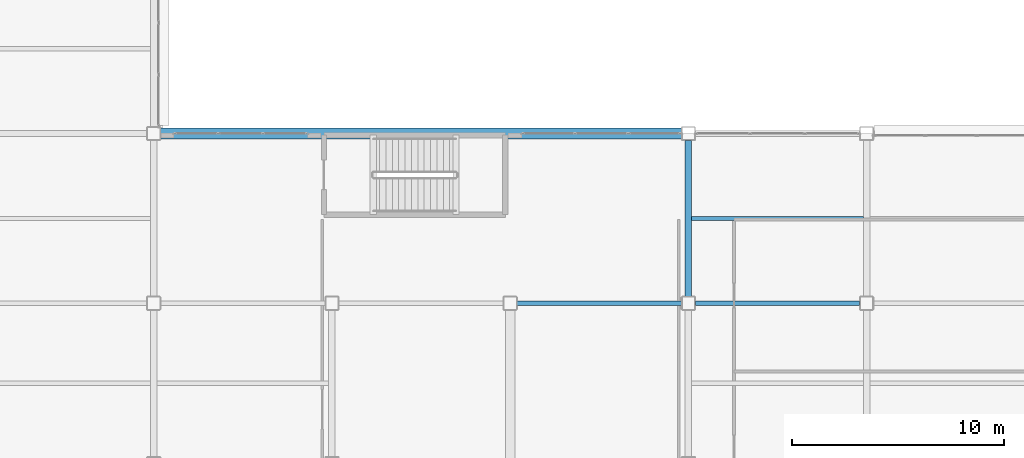
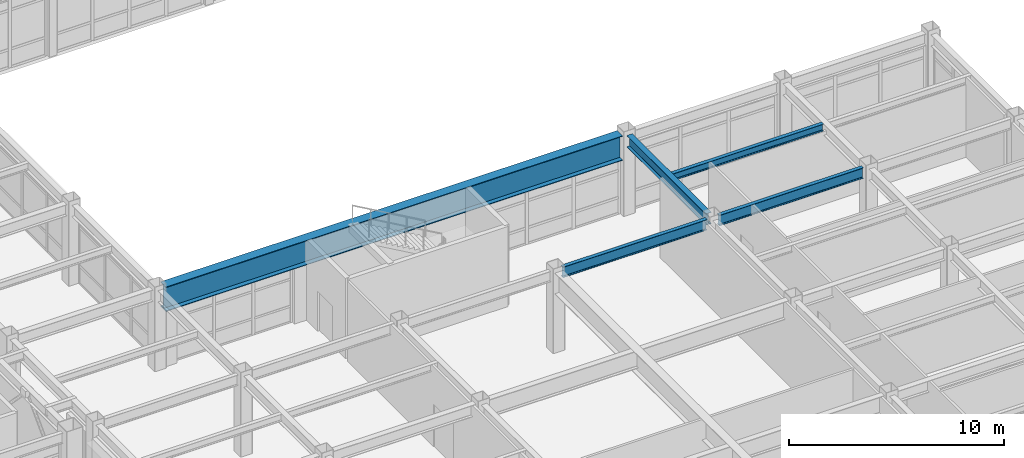
# One storey, part 53 of 172: 5 beams.
"""IFC4 building model written with IfcOpenShell, lengths in metres."""

import ifcopenshell
import ifcopenshell.guid

model = None  # the IFC model being written
_history = None  # IfcOwnerHistory: only IFC2X3 demands one
_inside = {}  # id of a spatial element -> (the spatial element, [elements in it])
_under = {}  # id of a project, library or spatial element -> (it, [spatial elements below it])
_declared = {}  # id of a project -> (the project, [libraries it declares])
_typed = {}  # id of a type object -> (the type object, [elements of that type])
_made_of = {}  # id of a material, layer set ... -> (it, [elements and type objects made of it])


def new_model(schema):
    """Start an empty IFC model of exactly this schema.

    Asked for "IFC4X3", IfcOpenShell would pick the latest addendum, in which some entities
    have other attributes; the version numbers below select the first issue.
    IFC2X3 requires an IfcOwnerHistory on every rooted entity: one is made here for all.
    """
    global model, _history
    if schema == "IFC4X3":
        model = ifcopenshell.file(schema_version=(4, 3, 0, 0))
    else:
        model = ifcopenshell.file(schema=schema)
    _inside.clear()
    _under.clear()
    _declared.clear()
    _typed.clear()
    _made_of.clear()
    _history = None
    if model.schema == "IFC2X3":
        org = make("IfcOrganization", Name="unknown")
        user = make(
            "IfcPersonAndOrganization",
            ThePerson=make("IfcPerson", FamilyName="unknown"),
            TheOrganization=org,
        )
        app = make(
            "IfcApplication",
            ApplicationDeveloper=org,
            Version="unknown",
            ApplicationFullName="unknown",
            ApplicationIdentifier="unknown",
        )
        _history = make(
            "IfcOwnerHistory",
            OwningUser=user,
            OwningApplication=app,
            ChangeAction="ADDED",
            CreationDate=0,
        )
    return model


def make(cls, **values):
    """One entity of the class cls with the attributes given. An attribute that is None is left unset."""
    return model.create_entity(
        cls, **{name: value for name, value in values.items() if value is not None}
    )


def rooted(cls, **values):
    """An entity with a GlobalId (a new one), such as an element, a storey or a relation."""
    return make(cls, GlobalId=ifcopenshell.guid.new(), OwnerHistory=_history, **values)


def si_unit(unit_type, name, prefix=None):
    """IfcSIUnit, for example si_unit("LENGTHUNIT", "METRE", prefix="MILLI")."""
    return make("IfcSIUnit", UnitType=unit_type, Prefix=prefix, Name=name)


def assignment(units):
    """IfcUnitAssignment: the units of a project."""
    return None if units is None else make("IfcUnitAssignment", Units=units)


def point(xyz):
    """IfcCartesianPoint."""
    return None if xyz is None else make("IfcCartesianPoint", Coordinates=xyz)


def direction(xyz):
    """IfcDirection."""
    return None if xyz is None else make("IfcDirection", DirectionRatios=xyz)


def frame(location, z_axis=None, x_axis=None):
    """IfcAxis2Placement3D, a coordinate frame: its origin and axes. An axis left out is left unset."""
    return make(
        "IfcAxis2Placement3D",
        Location=point(location),
        Axis=direction(z_axis),
        RefDirection=direction(x_axis),
    )


def frame_2d(location, x_axis=None):
    """IfcAxis2Placement2D, a coordinate frame in the plane: its origin and x axis."""
    return make(
        "IfcAxis2Placement2D", Location=point(location), RefDirection=direction(x_axis)
    )


def origin():
    """The frame at (0, 0, 0) with its axes left unset."""
    return frame((0.0, 0.0, 0.0))


def origin_2d():
    """The frame at (0, 0) in the plane with its x axis left unset."""
    return frame_2d((0.0, 0.0))


def place(relative_to, where):
    """IfcLocalPlacement: puts the frame where relative to a parent placement (None: the world)."""
    return make(
        "IfcLocalPlacement", PlacementRelTo=relative_to, RelativePlacement=where
    )


def context(
    kind, dimensions, precision=None, world=None, true_north=None, identifier=None
):
    """IfcGeometricRepresentationContext, for example the 3D "Model" context."""
    return make(
        "IfcGeometricRepresentationContext",
        ContextIdentifier=identifier,
        ContextType=kind,
        CoordinateSpaceDimension=dimensions,
        Precision=precision,
        WorldCoordinateSystem=world,
        TrueNorth=true_north,
    )


def subcontext(parent, identifier, kind, view, scale=None):
    """IfcGeometricRepresentationSubContext, for example "Body" below "Model"."""
    return make(
        "IfcGeometricRepresentationSubContext",
        ContextIdentifier=identifier,
        ContextType=kind,
        ParentContext=parent,
        TargetScale=scale,
        TargetView=view,
    )


def project(units=None, contexts=None):
    """IfcProject with its units and contexts."""
    return rooted(
        "IfcProject",
        Name="project",
        RepresentationContexts=contexts,
        UnitsInContext=assignment(units),
    )


def spatial(cls, under=None, at=None, **own):
    """A site, building, storey or space (cls), placed at a placement, below another one or the project."""
    s = rooted(cls, ObjectPlacement=at, **own)
    if under is not None:
        _under.setdefault(under.id(), (under, []))[1].append(s)
    return s


def profile(cls, at=None, kind="AREA", **sizes):
    """A parametric profile (cls). Its sizes go by their IFC names, for example OverallWidth=200.0."""
    return make(cls, ProfileType=kind, Position=at, **sizes)


def i_section(**sizes):
    """IfcIShapeProfileDef."""
    return profile("IfcIShapeProfileDef", **sizes)


def extrude(swept, where, along, depth):
    """IfcExtrudedAreaSolid: the profile swept, set in the frame where, extruded along a direction by depth."""
    return make(
        "IfcExtrudedAreaSolid",
        SweptArea=swept,
        Position=where,
        ExtrudedDirection=direction(along),
        Depth=depth,
    )


def shape(context_of_items, identifier, shape_type, items):
    """IfcShapeRepresentation: the items that make up one representation, for example the "Body"."""
    return make(
        "IfcShapeRepresentation",
        ContextOfItems=context_of_items,
        RepresentationIdentifier=identifier,
        RepresentationType=shape_type,
        Items=items,
    )


def material(Name=None, Category=None):
    """IfcMaterial."""
    return make("IfcMaterial", Name=Name, Category=Category)


def material_profile(
    of_material, cross_section, Name=None, Category=None, Priority=None
):
    """IfcMaterialProfile: a cross section and its material."""
    return make(
        "IfcMaterialProfile",
        Name=Name,
        Material=of_material,
        Profile=cross_section,
        Priority=Priority,
        Category=Category,
    )


def profile_set(profiles, Name=None, composite=None):
    """IfcMaterialProfileSet."""
    return make(
        "IfcMaterialProfileSet",
        Name=Name,
        MaterialProfiles=profiles,
        CompositeProfile=composite,
    )


def made_of(thing, what):
    """Note that an element or type object is made of a material, layer set ...; save() writes the relation."""
    if what is not None:
        _made_of.setdefault(what.id(), (what, []))[1].append(thing)
    return thing


def type_object(cls, material=None, **own):
    """A type object (cls), such as IfcWallType, which elements share."""
    return made_of(rooted(cls, **own), material)


def element(
    cls,
    number,
    at=None,
    inside=None,
    cuts=None,
    type_object=None,
    material=None,
    context=None,
    identifier="Body",
    shape_type=None,
    held_by="IfcProductDefinitionShape",
    body=None,
    shapes=None,
    **own,
):
    """One element of the class cls, such as IfcWall. Its Tag is "e" and its number.

    at: its placement. inside: the storey or other place that contains it. cuts: it is an
    opening in that element (IfcRelVoidsElement). A single representation is given by context,
    identifier, shape_type and body (its items); several are given by shapes. held_by: the class
    of the entity that holds the representations. save() writes the other relations.
    """
    e = rooted(cls, Tag="e%d" % number, ObjectPlacement=at, **own)
    if body is not None:
        shapes = [shape(context, identifier, shape_type, body)]
    if shapes is not None:
        e.Representation = make(held_by, Representations=shapes)
    if inside is not None:
        _inside.setdefault(inside.id(), (inside, []))[1].append(e)
    if cuts is not None:
        rooted(
            "IfcRelVoidsElement", RelatingBuildingElement=cuts, RelatedOpeningElement=e
        )
    if type_object is not None:
        _typed.setdefault(type_object.id(), (type_object, []))[1].append(e)
    return made_of(e, material)


def aggregate(whole, parts):
    """IfcRelAggregates: a whole, such as a stair, and the parts it consists of."""
    return rooted("IfcRelAggregates", RelatingObject=whole, RelatedObjects=parts)


def save(model, path):
    """Write the relations noted so far, then the file.

    IfcRelAggregates (storeys below a building ...), IfcRelContainedInSpatialStructure (elements
    in a storey), IfcRelDefinesByType, IfcRelAssociatesMaterial and IfcRelDeclares: one each for
    every whole, place, type object, material and project.
    """
    for whole, parts in _under.values():
        aggregate(whole, parts)
    for where, things in _inside.values():
        rooted(
            "IfcRelContainedInSpatialStructure",
            RelatedElements=things,
            RelatingStructure=where,
        )
    for kind, things in _typed.values():
        rooted("IfcRelDefinesByType", RelatedObjects=things, RelatingType=kind)
    for what, things in _made_of.values():
        rooted("IfcRelAssociatesMaterial", RelatedObjects=things, RelatingMaterial=what)
    for by, libraries in _declared.values():
        rooted("IfcRelDeclares", RelatingContext=by, RelatedDefinitions=libraries)
    model.write(path)


model = new_model("IFC4")

# Units and contexts
model_context = context("Model", 3, precision=1e-05, world=origin(), true_north=direction((0.0, 1.0)))
body_context = subcontext(model_context, "Body", "Model", "MODEL_VIEW")
ifc_project = project(units=[si_unit("LENGTHUNIT", "METRE"), si_unit("AREAUNIT", "SQUARE_METRE"), si_unit("VOLUMEUNIT", "CUBIC_METRE"), si_unit("PLANEANGLEUNIT", "RADIAN"), si_unit("MASSUNIT", "GRAM", prefix="KILO")], contexts=[model_context])

# Site, building, storey
site_placement = place(None, origin())
site = spatial("IfcSite", under=ifc_project, at=site_placement, CompositionType="ELEMENT")
building_placement = place(site_placement, origin())
building = spatial("IfcBuilding", under=site, at=building_placement, Name="Kazehara Bluff Congress Hotel", CompositionType="ELEMENT")
storey_placement = place(building_placement, frame((0.0, 0.0, 5.39990234375)))
storey = spatial("IfcBuildingStorey", under=building, at=storey_placement, Name="L01", CompositionType="ELEMENT", Elevation=5.39990234375)

# Beams
ifc_material_1 = material(Name="Steel SN490B", Category="steel")
ifc_material_profile_1 = material_profile(ifc_material_1, i_section(OverallWidth=0.300048828125, OverallDepth=0.64990234375, WebThickness=0.011962890625, FlangeThickness=0.02001953125, FilletRadius=0.012939453125, at=origin_2d()))
ifc_profile_set_1 = profile_set([ifc_material_profile_1], Name="Steel SN490B")
beam_type_1 = type_object("IfcBeamType", Name="TP-G-03", PredefinedType="BEAM", material=ifc_profile_set_1)
beam_1_placement = place(storey_placement, frame((92.85009765625, 48.77490234375, 4.22509765625), z_axis=(0.0, 1.0, 0.0), x_axis=(-1.0, 0.0, 0.0)))
element("IfcBeam", 1, at=beam_1_placement, inside=storey, type_object=beam_type_1, Name="L01 girder G-03 174", PredefinedType="BEAM", context=body_context, shape_type="SweptSolid", body=[
    extrude(i_section(OverallWidth=0.300048828125, OverallDepth=0.64990234375, WebThickness=0.011962890625, FlangeThickness=0.02001953125, FilletRadius=0.012939453125, at=origin_2d()), origin(), (0.0, 0.0, 1.0), 7.35009765625),
])
ifc_material_2 = material(Name="Steel SN490B", Category="steel")
ifc_material_profile_2 = material_profile(ifc_material_2, i_section(OverallWidth=0.5, OverallDepth=1.39990234375, WebThickness=0.02197265625, FlangeThickness=0.035888671875, at=origin_2d()))
ifc_profile_set_2 = profile_set([ifc_material_profile_2], Name="Steel SN490B")
beam_type_2 = type_object("IfcBeamType", Name="TP-G-13", PredefinedType="BEAM", material=ifc_profile_set_2)
beam_2_placement = place(storey_placement, frame((67.97509765625, 56.449951171875, 3.85009765625), z_axis=(1.0, 0.0, 0.0), x_axis=(0.0, 1.0, 0.0)))
element("IfcBeam", 2, at=beam_2_placement, inside=storey, type_object=beam_type_2, Name="L01 girder G-13 216", PredefinedType="BEAM", context=body_context, shape_type="SweptSolid", body=[
    extrude(i_section(OverallWidth=0.5, OverallDepth=1.39990234375, WebThickness=0.02197265625, FlangeThickness=0.035888671875, at=origin_2d()), origin(), (0.0, 0.0, 1.0), 24.5498046875),
])
ifc_material_3 = material(Name="Steel SN400B", Category="steel")
ifc_material_profile_3 = material_profile(ifc_material_3, i_section(OverallWidth=0.199951171875, OverallDepth=0.39990234375, WebThickness=0.008056640625, FlangeThickness=0.012939453125, FilletRadius=0.012939453125, at=origin_2d()))
ifc_profile_set_3 = profile_set([ifc_material_profile_3], Name="Steel SN400B")
beam_type_3 = type_object("IfcBeamType", Name="TP-J-03", PredefinedType="JOIST", material=ifc_profile_set_3)
beam_3_placement = place(storey_placement, frame((93.0, 52.449951171875, 4.35009765625), z_axis=(1.0, 0.0, 0.0), x_axis=(0.0, 1.0, 0.0)))
element("IfcBeam", 3, at=beam_3_placement, inside=storey, type_object=beam_type_3, Name="L01 secondary joist J-03 49", PredefinedType="JOIST", context=body_context, shape_type="SweptSolid", body=[
    extrude(i_section(OverallWidth=0.199951171875, OverallDepth=0.39990234375, WebThickness=0.008056640625, FlangeThickness=0.012939453125, FilletRadius=0.012939453125, at=origin_2d()), origin(), (0.0, 0.0, 1.0), 8.10009765625),
])
ifc_material_4 = material(Name="Steel SN490B", Category="steel")
ifc_material_profile_4 = material_profile(ifc_material_4, i_section(OverallWidth=0.199951171875, OverallDepth=0.60009765625, WebThickness=0.010986328125, FlangeThickness=0.01708984375, FilletRadius=0.012939453125, at=origin_2d()))
ifc_profile_set_4 = profile_set([ifc_material_profile_4], Name="Steel SN490B")
beam_type_4 = type_object("IfcBeamType", Name="TP-SP-02", PredefinedType="SPANDREL", material=ifc_profile_set_4)
for number, where, z_axis, x_axis, name in (
    (4, (84.77490234375, 48.449951171875, 4.25), (1.0, 0.0, 0.0), (0.0, 1.0, 0.0), "L01 girder SP-02 212"),
    (5, (93.175048828125, 48.449951171875, 4.25), (1.0, 0.0, 0.0), (0.0, 1.0, 0.0), "L01 girder SP-02 213"),
):
    element("IfcBeam", number, at=place(storey_placement, frame(where, z_axis=z_axis, x_axis=x_axis)), inside=storey, type_object=beam_type_4, Name=name, PredefinedType="SPANDREL", context=body_context, shape_type="SweptSolid", body=[
        extrude(i_section(OverallWidth=0.199951171875, OverallDepth=0.60009765625, WebThickness=0.010986328125, FlangeThickness=0.01708984375, FilletRadius=0.012939453125, at=origin_2d()), origin(), (0.0, 0.0, 1.0), 7.75),
    ])

save(model, "model.ifc")
